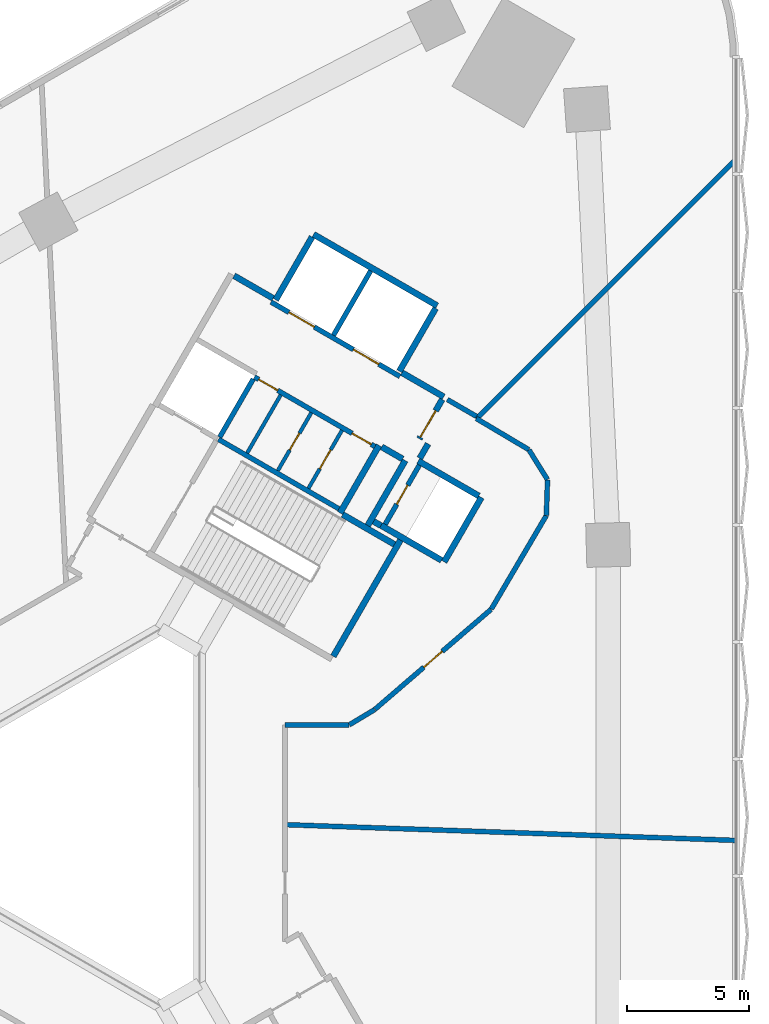
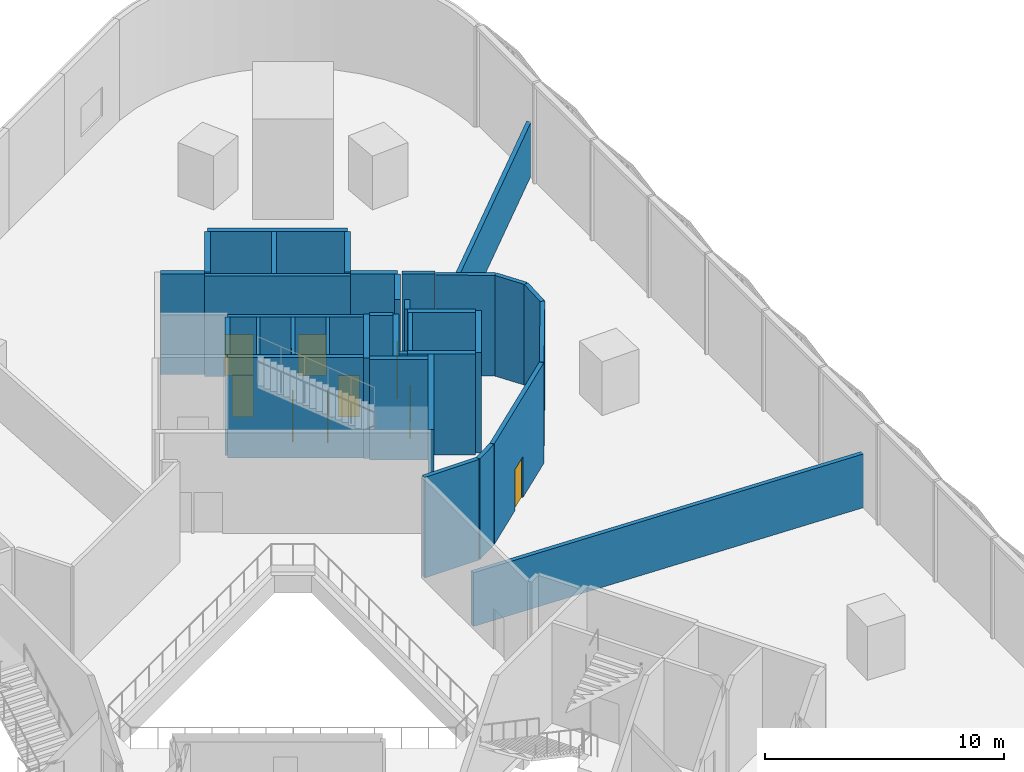
# One storey, part 17 of 31: 35 walls, 9 doors, 9 openings.
"""IFC4 building model written with IfcOpenShell, lengths in metres."""

from ifc_helpers import new_model, si_unit, direction, frame, frame_2d, origin, place, context, subcontext, project, spatial, rectangle, extrude, material, layer, layer_set, type_object, element, fill, save


model = new_model("IFC4")

# Units and contexts
model_context = context("Model", 3, precision=1e-05, world=origin(), true_north=direction((0.0, 1.0)))
body_context = subcontext(model_context, "Body", "Model", "MODEL_VIEW")
ifc_project = project(units=[si_unit("LENGTHUNIT", "METRE"), si_unit("AREAUNIT", "SQUARE_METRE"), si_unit("VOLUMEUNIT", "CUBIC_METRE"), si_unit("PLANEANGLEUNIT", "RADIAN"), si_unit("MASSUNIT", "GRAM", prefix="KILO")], contexts=[model_context])

# Site, building, storey
site_placement = place(None, origin())
site = spatial("IfcSite", under=ifc_project, at=site_placement, CompositionType="ELEMENT")
building_placement = place(site_placement, origin())
building = spatial("IfcBuilding", under=site, at=building_placement, Name="Tamra Quay Hotel Tower", CompositionType="ELEMENT")
storey_placement = place(building_placement, frame((0.0, 0.0, 14.0)))
storey = spatial("IfcBuildingStorey", under=building, at=storey_placement, Name="L02", CompositionType="ELEMENT", Elevation=14.0)

# Wall, openings, doors
ifc_material_1 = material(Name="Concrete M70", Category="concrete")
ifc_layer_1 = layer(ifc_material_1, 0.199951171875)
ifc_layer_set_1 = layer_set([ifc_layer_1], Name="Concrete M70 core wall 200")
wall_type_1 = type_object("IfcWallType", Name="Concrete M70 core wall 200", PredefinedType="SHEAR", material=ifc_layer_set_1)
wall_1_placement = place(storey_placement, frame((13.209716796875, 18.07958984375, 0.0), z_axis=(0.0, 0.0, 1.0), x_axis=(-0.866030299012, 0.499991521122, 0.0)))
wall_1 = element("IfcWall", 1, at=wall_1_placement, inside=storey, type_object=wall_type_1, Name="CW2", PredefinedType="SHEAR", context=body_context, shape_type="SweptSolid", body=[
    extrude(rectangle(XDim=6.10009765625, YDim=0.199951171875, at=frame_2d((3.050048828125, 0.0))), origin(), (0.0, 0.0, 1.0), 5.14990234375),
])
opening_1_placement = place(wall_1_placement, frame((1.0, 0.0, 0.0)))
opening_1 = element("IfcOpeningElement", 2, at=opening_1_placement, cuts=wall_1, Name="Opening LD", PredefinedType="OPENING", context=body_context, shape_type="SweptSolid", body=[
    extrude(rectangle(XDim=1.199951171875, YDim=2.10009765625, at=frame_2d((0.60009765625, 1.050048828125))), frame((0.0, 0.10986328125, 0.0), z_axis=(0.0, -1.0, 0.0), x_axis=(1.0, 0.0, 0.0)), (0.0, 0.0, 1.0), 0.219970703125),
])
opening_2_placement = place(wall_1_placement, frame((4.05029296875, 0.0, 0.0)))
opening_2 = element("IfcOpeningElement", 3, at=opening_2_placement, cuts=wall_1, Name="Opening LD", PredefinedType="OPENING", context=body_context, shape_type="SweptSolid", body=[
    extrude(rectangle(XDim=1.199951171875, YDim=2.10009765625, at=frame_2d((0.60009765625, 1.050048828125))), frame((0.0, 0.10986328125, 0.0), z_axis=(0.0, -1.0, 0.0), x_axis=(1.0, 0.0, 0.0)), (0.0, 0.0, 1.0), 0.219970703125),
])
ifc_material_2 = material(Name="Landing door LD 1200 double door sliding")
door_type_1 = type_object("IfcDoorType", Name="Landing door LD 1200 double door sliding", OperationType="DOUBLE_DOOR_SLIDING", PredefinedType="DOOR", material=ifc_material_2)
door_1_placement = place(opening_1_placement, origin())
door_1 = element("IfcDoor", 4, at=door_1_placement, inside=storey, type_object=door_type_1, Name="LD", OperationType="DOUBLE_DOOR_SLIDING", OverallHeight=2.10009765625, OverallWidth=1.199951171875, PredefinedType="DOOR", context=body_context, shape_type="SweptSolid", body=[
    extrude(rectangle(XDim=1.199951171875, YDim=2.10009765625, at=frame_2d((0.60009765625, 1.050048828125))), frame((0.0, 0.02490234375, 0.0), z_axis=(0.0, -1.0, 0.0), x_axis=(1.0, 0.0, 0.0)), (0.0, 0.0, 1.0), 0.050048828125),
])
fill(opening_1, door_1)
door_2_placement = place(opening_2_placement, origin())
door_2 = element("IfcDoor", 5, at=door_2_placement, inside=storey, type_object=door_type_1, Name="LD", OperationType="DOUBLE_DOOR_SLIDING", OverallHeight=2.10009765625, OverallWidth=1.199951171875, PredefinedType="DOOR", context=body_context, shape_type="SweptSolid", body=[
    extrude(rectangle(XDim=1.199951171875, YDim=2.10009765625, at=frame_2d((0.60009765625, 1.050048828125))), frame((0.0, 0.02490234375, 0.0), z_axis=(0.0, -1.0, 0.0), x_axis=(1.0, 0.0, 0.0)), (0.0, 0.0, 1.0), 0.050048828125),
])
fill(opening_2, door_2)

# Wall
wall_2_placement = place(storey_placement, frame((5.774658203125, 15.501953125, 0.0), z_axis=(0.0, 0.0, 1.0), x_axis=(0.866020080793, -0.500009219579, 0.0)))
element("IfcWall", 6, at=wall_2_placement, inside=storey, type_object=wall_type_1, Name="CW2", PredefinedType="SHEAR", context=body_context, shape_type="SweptSolid", body=[
    extrude(rectangle(XDim=5.69921875, YDim=0.199951171875, at=frame_2d((2.849609375, 0.0))), origin(), (0.0, 0.0, 1.0), 5.14990234375),
])

# Wall, openings, doors
wall_3_placement = place(storey_placement, frame((12.18505859375, 15.20703125, 0.0), z_axis=(0.0, 0.0, 1.0), x_axis=(-0.866020080793, 0.500009219579, 0.0)))
wall_3 = element("IfcWall", 7, at=wall_3_placement, inside=storey, type_object=wall_type_1, Name="CW2", PredefinedType="SHEAR", context=body_context, shape_type="SweptSolid", body=[
    extrude(rectangle(XDim=5.69921875, YDim=0.199951171875, at=frame_2d((2.849609375, 0.0))), origin(), (0.0, 0.0, 1.0), 5.14990234375),
])
opening_3_placement = place(wall_3_placement, frame((0.174072265625, 0.0, 0.0)))
opening_3 = element("IfcOpeningElement", 8, at=opening_3_placement, cuts=wall_3, Name="Opening D2", PredefinedType="OPENING", context=body_context, shape_type="SweptSolid", body=[
    extrude(rectangle(XDim=0.89990234375, YDim=2.10009765625, at=frame_2d((0.449951171875, 1.050048828125))), frame((0.0, 0.10986328125, 0.0), z_axis=(0.0, -1.0, 0.0), x_axis=(1.0, 0.0, 0.0)), (0.0, 0.0, 1.0), 0.219970703125),
])
opening_4_placement = place(wall_3_placement, frame((4.59912109375, 0.0, 0.0)))
opening_4 = element("IfcOpeningElement", 9, at=opening_4_placement, cuts=wall_3, Name="Opening D2", PredefinedType="OPENING", context=body_context, shape_type="SweptSolid", body=[
    extrude(rectangle(XDim=0.89990234375, YDim=2.10009765625, at=frame_2d((0.449951171875, 1.050048828125))), frame((0.0, 0.10986328125, 0.0), z_axis=(0.0, -1.0, 0.0), x_axis=(1.0, 0.0, 0.0)), (0.0, 0.0, 1.0), 0.219970703125),
])
ifc_material_3 = material(Name="Core door D2 900x2100 LH")
door_type_2 = type_object("IfcDoorType", Name="Core door D2 900x2100 LH", OperationType="NOTDEFINED", PredefinedType="DOOR", material=ifc_material_3)
door_3_placement = place(opening_4_placement, origin())
door_3 = element("IfcDoor", 10, at=door_3_placement, inside=storey, type_object=door_type_2, Name="D2", OperationType="SINGLE_SWING_LEFT", OverallHeight=2.10009765625, OverallWidth=0.89990234375, PredefinedType="DOOR", context=body_context, shape_type="SweptSolid", body=[
    extrude(rectangle(XDim=0.89990234375, YDim=2.10009765625, at=frame_2d((0.449951171875, 1.050048828125))), frame((0.0, 0.02490234375, 0.0), z_axis=(0.0, -1.0, 0.0), x_axis=(1.0, 0.0, 0.0)), (0.0, 0.0, 1.0), 0.050048828125),
])
fill(opening_4, door_3)
ifc_material_4 = material(Name="Core door D2 900x2100 RH")
door_type_3 = type_object("IfcDoorType", Name="Core door D2 900x2100 RH", OperationType="NOTDEFINED", PredefinedType="DOOR", material=ifc_material_4)
door_4_placement = place(opening_3_placement, origin())
door_4 = element("IfcDoor", 11, at=door_4_placement, inside=storey, type_object=door_type_3, Name="D2", OperationType="SINGLE_SWING_RIGHT", OverallHeight=2.10009765625, OverallWidth=0.89990234375, PredefinedType="DOOR", context=body_context, shape_type="SweptSolid", body=[
    extrude(rectangle(XDim=0.89990234375, YDim=2.10009765625, at=frame_2d((0.449951171875, 1.050048828125))), frame((0.0, 0.02490234375, 0.0), z_axis=(0.0, -1.0, 0.0), x_axis=(1.0, 0.0, 0.0)), (0.0, 0.0, 1.0), 0.050048828125),
])
fill(opening_3, door_4)

# Wall
wall_4_placement = place(storey_placement, frame((10.48876953125, 19.76708984375, 0.0), z_axis=(0.0, 0.0, 1.0), x_axis=(0.499946628782, 0.866056215479, 0.0)))
element("IfcWall", 12, at=wall_4_placement, inside=storey, type_object=wall_type_1, Name="CW2", PredefinedType="SHEAR", context=body_context, shape_type="SweptSolid", body=[
    extrude(rectangle(XDim=3.048095703125, YDim=0.199951171875, at=frame_2d((1.52392578125, 0.0))), origin(), (0.0, 0.0, 1.0), 5.14990234375),
])

# Wall, opening, door
wall_5_placement = place(storey_placement, frame((14.0078125, 14.442138671875, 0.0), z_axis=(0.0, 0.0, 1.0), x_axis=(-0.499986818241, -0.866033014143, 0.0)))
wall_5 = element("IfcWall", 13, at=wall_5_placement, inside=storey, type_object=wall_type_1, Name="CW2", PredefinedType="SHEAR", context=body_context, shape_type="SweptSolid", body=[
    extrude(rectangle(XDim=2.7978515625, YDim=0.199951171875, at=frame_2d((1.39892578125, 0.0))), origin(), (0.0, 0.0, 1.0), 5.14990234375),
])
opening_5_placement = place(wall_5_placement, frame((0.948974609375, 0.0, 0.0)))
opening_5 = element("IfcOpeningElement", 14, at=opening_5_placement, cuts=wall_5, Name="Opening D1", PredefinedType="OPENING", context=body_context, shape_type="SweptSolid", body=[
    extrude(rectangle(XDim=0.89990234375, YDim=2.10009765625, at=frame_2d((0.449951171875, 1.050048828125))), frame((0.0, 0.10986328125, 0.0), z_axis=(0.0, -1.0, 0.0), x_axis=(1.0, 0.0, 0.0)), (0.0, 0.0, 1.0), 0.219970703125),
])
ifc_material_5 = material(Name="Core door D1 900x2100 RH")
door_type_4 = type_object("IfcDoorType", Name="Core door D1 900x2100 RH", OperationType="NOTDEFINED", PredefinedType="DOOR", material=ifc_material_5)
door_5_placement = place(opening_5_placement, origin())
door_5 = element("IfcDoor", 15, at=door_5_placement, inside=storey, type_object=door_type_4, Name="D1", OperationType="SINGLE_SWING_RIGHT", OverallHeight=2.10009765625, OverallWidth=0.89990234375, PredefinedType="DOOR", context=body_context, shape_type="SweptSolid", body=[
    extrude(rectangle(XDim=0.89990234375, YDim=2.10009765625, at=frame_2d((0.449951171875, 1.050048828125))), frame((0.0, 0.02490234375, 0.0), z_axis=(0.0, -1.0, 0.0), x_axis=(1.0, 0.0, 0.0)), (0.0, 0.0, 1.0), 0.050048828125),
])
fill(opening_5, door_5)

# Walls
wall_6_placement = place(storey_placement, frame((7.199462890625, 17.969970703125, 0.0), z_axis=(0.0, 0.0, 1.0), x_axis=(-0.499968400327, -0.866043647095, 0.0)))
element("IfcWall", 16, at=wall_6_placement, inside=storey, type_object=wall_type_1, Name="CW2", PredefinedType="SHEAR", context=body_context, shape_type="SweptSolid", body=[
    extrude(rectangle(XDim=2.749755859375, YDim=0.199951171875, at=frame_2d((1.375, 0.0))), origin(), (0.0, 0.0, 1.0), 5.14990234375),
])
ifc_layer_2 = layer(ifc_material_1, 0.25)
ifc_layer_set_2 = layer_set([ifc_layer_2], Name="Concrete M70 core wall 250")
wall_type_2 = type_object("IfcWallType", Name="Concrete M70 core wall 250", PredefinedType="SHEAR", material=ifc_layer_set_2)
wall_7_placement = place(storey_placement, frame((9.672607421875, 23.9033203125, 0.0), z_axis=(0.0, 0.0, 1.0), x_axis=(0.86603616409, -0.499981362141, 0.0)))
element("IfcWall", 17, at=wall_7_placement, inside=storey, type_object=wall_type_2, Name="CW1", PredefinedType="SHEAR", context=body_context, shape_type="SweptSolid", body=[
    extrude(rectangle(XDim=5.849853515625, YDim=0.25, at=frame_2d((2.9248046875, 0.0))), origin(), (0.0, 0.0, 1.0), 5.14990234375),
])
wall_8_placement = place(storey_placement, frame((13.237548828125, 11.3779296875, 0.0), z_axis=(0.0, 0.0, 1.0), x_axis=(-0.500008851346, -0.866020293397, 0.0)))
element("IfcWall", 18, at=wall_8_placement, inside=storey, type_object=wall_type_2, Name="CW1", PredefinedType="SHEAR", context=body_context, shape_type="SweptSolid", body=[
    extrude(rectangle(XDim=5.509765625, YDim=0.25, at=frame_2d((2.7548828125, 0.0))), origin(), (0.0, 0.0, 1.0), 5.14990234375),
])
wall_9_placement = place(storey_placement, frame((12.356689453125, 15.25244140625, 0.0), z_axis=(0.0, 0.0, 1.0), x_axis=(-0.500028443584, -0.866008981251, 0.0)))
element("IfcWall", 19, at=wall_9_placement, inside=storey, type_object=wall_type_2, Name="CW1", PredefinedType="SHEAR", context=body_context, shape_type="SweptSolid", body=[
    extrude(rectangle(XDim=3.199951171875, YDim=0.25, at=frame_2d((1.60009765625, 0.0))), origin(), (0.0, 0.0, 1.0), 5.14990234375),
])
for number, where, z_axis, x_axis, name in (
    (20, (8.12255859375, 21.21875, 0.0), (0.0, 0.0, 1.0), (0.499987686533, 0.866032512851, 0.0), "CW1"),
    (21, (14.67626953125, 20.869873046875, 0.0), (0.0, 0.0, 1.0), (-0.499987686533, -0.866032512851, 0.0), "CW1"),
):
    element("IfcWall", number, at=place(storey_placement, frame(where, z_axis=z_axis, x_axis=x_axis)), inside=storey, type_object=wall_type_2, Name=name, PredefinedType="SHEAR", context=body_context, shape_type="SweptSolid", body=[
        extrude(rectangle(XDim=2.974609375, YDim=0.25, at=frame_2d((1.4873046875, 0.0))), origin(), (0.0, 0.0, 1.0), 5.14990234375),
    ])
wall_10_placement = place(storey_placement, frame((16.552001953125, 13.118896484375, 0.0), z_axis=(0.0, 0.0, 1.0), x_axis=(-0.499978833458, -0.866037623948, 0.0)))
element("IfcWall", 22, at=wall_10_placement, inside=storey, type_object=wall_type_2, Name="CW1", PredefinedType="SHEAR", context=body_context, shape_type="SweptSolid", body=[
    extrude(rectangle(XDim=3.050048828125, YDim=0.25, at=frame_2d((1.52490234375, 0.0))), origin(), (0.0, 0.0, 1.0), 5.14990234375),
])
wall_11_placement = place(storey_placement, frame((14.91845703125, 10.540283203125, 0.0), z_axis=(0.0, 0.0, 1.0), x_axis=(-0.866063538972, 0.499933942099, 0.0)))
element("IfcWall", 23, at=wall_11_placement, inside=storey, type_object=wall_type_2, Name="CW1", PredefinedType="SHEAR", context=body_context, shape_type="SweptSolid", body=[
    extrude(rectangle(XDim=2.86474609375, YDim=0.25, at=frame_2d((1.432373046875, 0.0))), origin(), (0.0, 0.0, 1.0), 5.14990234375),
])
wall_12_placement = place(storey_placement, frame((13.962646484375, 14.61376953125, 0.0), z_axis=(0.0, 0.0, 1.0), x_axis=(0.866042235819, -0.499970844928, 0.0)))
element("IfcWall", 24, at=wall_12_placement, inside=storey, type_object=wall_type_2, Name="CW1", PredefinedType="SHEAR", context=body_context, shape_type="SweptSolid", body=[
    extrude(rectangle(XDim=2.864501953125, YDim=0.25, at=frame_2d((1.43212890625, 0.0))), origin(), (0.0, 0.0, 1.0), 5.14990234375),
])
wall_13_placement = place(storey_placement, frame((11.887939453125, 11.960693359375, 0.0), z_axis=(0.0, 0.0, 1.0), x_axis=(0.500003324108, 0.866023484601, 0.0)))
element("IfcWall", 25, at=wall_13_placement, inside=storey, type_object=wall_type_2, Name="CW1", PredefinedType="SHEAR", context=body_context, shape_type="SweptSolid", body=[
    extrude(rectangle(XDim=3.0849609375, YDim=0.25, at=frame_2d((1.54248046875, 0.0))), origin(), (0.0, 0.0, 1.0), 5.14990234375),
])
wall_14_placement = place(storey_placement, frame((10.865234375, 12.41845703125, 0.0), z_axis=(0.0, 0.0, 1.0), x_axis=(0.866026229868, -0.499998569178, 0.0)))
element("IfcWall", 26, at=wall_14_placement, inside=storey, type_object=wall_type_2, Name="CW1", PredefinedType="SHEAR", context=body_context, shape_type="SweptSolid", body=[
    extrude(rectangle(XDim=2.44921875, YDim=0.25, at=frame_2d((1.224609375, 0.0))), origin(), (0.0, 0.0, 1.0), 5.14990234375),
])
wall_15_placement = place(storey_placement, frame((13.29736328125, 18.23095703125, 0.0), z_axis=(0.0, 0.0, 1.0), x_axis=(0.866043531843, -0.499968599967, 0.0)))
element("IfcWall", 27, at=wall_15_placement, inside=storey, type_object=wall_type_2, Name="CW1", PredefinedType="SHEAR", context=body_context, shape_type="SweptSolid", body=[
    extrude(rectangle(XDim=1.974853515625, YDim=0.25, at=frame_2d((0.9873046875, 0.0))), origin(), (0.0, 0.0, 1.0), 5.14990234375),
])
wall_16_placement = place(storey_placement, frame((6.41259765625, 22.2060546875, 0.0), z_axis=(0.0, 0.0, 1.0), x_axis=(0.866016279763, -0.500015802937, 0.0)))
element("IfcWall", 28, at=wall_16_placement, inside=storey, type_object=wall_type_2, Name="CW1", PredefinedType="SHEAR", context=body_context, shape_type="SweptSolid", body=[
    extrude(rectangle(XDim=1.84912109375, YDim=0.25, at=frame_2d((0.924560546875, 0.0))), origin(), (0.0, 0.0, 1.0), 5.14990234375),
])

# Wall, opening, door
wall_17_placement = place(storey_placement, frame((14.94482421875, 17.13525390625, 0.0), z_axis=(0.0, 0.0, 1.0), x_axis=(-0.499983108224, -0.866035156036, 0.0)))
wall_17 = element("IfcWall", 29, at=wall_17_placement, inside=storey, type_object=wall_type_2, Name="CW1", PredefinedType="SHEAR", context=body_context, shape_type="SweptSolid", body=[
    extrude(rectangle(XDim=1.86474609375, YDim=0.25, at=frame_2d((0.932373046875, 0.0))), origin(), (0.0, 0.0, 1.0), 5.14990234375),
])
opening_6_placement = place(wall_17_placement, frame((0.53466796875, 0.0, 0.0)))
opening_6 = element("IfcOpeningElement", 30, at=opening_6_placement, cuts=wall_17, Name="Opening FD3", PredefinedType="OPENING", context=body_context, shape_type="SweptSolid", body=[
    extrude(rectangle(XDim=1.25, YDim=2.10009765625, at=frame_2d((0.625, 1.050048828125))), frame((0.0, 0.135009765625, 0.0), z_axis=(0.0, -1.0, 0.0), x_axis=(1.0, 0.0, 0.0)), (0.0, 0.0, 1.0), 0.27001953125),
])
ifc_material_6 = material(Name="Core door FD3 1250x2100 LH")
door_type_5 = type_object("IfcDoorType", Name="Core door FD3 1250x2100 LH", OperationType="NOTDEFINED", PredefinedType="DOOR", material=ifc_material_6)
door_6_placement = place(opening_6_placement, origin())
door_6 = element("IfcDoor", 31, at=door_6_placement, inside=storey, type_object=door_type_5, Name="FD3", OperationType="SINGLE_SWING_LEFT", OverallHeight=2.10009765625, OverallWidth=1.25, PredefinedType="DOOR", context=body_context, shape_type="SweptSolid", body=[
    extrude(rectangle(XDim=1.25, YDim=2.10009765625, at=frame_2d((0.625, 1.050048828125))), frame((0.0, 0.02490234375, 0.0), z_axis=(0.0, -1.0, 0.0), x_axis=(1.0, 0.0, 0.0)), (0.0, 0.0, 1.0), 0.050048828125),
])
fill(opening_6, door_6)

# Walls
wall_18_placement = place(storey_placement, frame((13.322021484375, 14.695068359375, 0.0), z_axis=(0.0, 0.0, 1.0), x_axis=(-0.866017078145, 0.500014420154, 0.0)))
element("IfcWall", 32, at=wall_18_placement, inside=storey, type_object=wall_type_2, Name="CW1", PredefinedType="SHEAR", context=body_context, shape_type="SweptSolid", body=[
    extrude(rectangle(XDim=0.9892578125, YDim=0.25, at=frame_2d((0.49462890625, 0.0))), origin(), (0.0, 0.0, 1.0), 5.14990234375),
])
wall_19_placement = place(storey_placement, frame((14.36767578125, 15.3154296875, 0.0), z_axis=(0.0, 0.0, 1.0), x_axis=(-0.499897359611, -0.866084655132, 0.0)))
element("IfcWall", 33, at=wall_19_placement, inside=storey, type_object=wall_type_2, Name="CW1", PredefinedType="SHEAR", context=body_context, shape_type="SweptSolid", body=[
    extrude(rectangle(XDim=0.684814453125, YDim=0.25, at=frame_2d((0.34228515625, 0.0))), origin(), (0.0, 0.0, 1.0), 5.14990234375),
])
wall_20_placement = place(storey_placement, frame((12.4326171875, 11.9638671875, 0.0), z_axis=(0.0, 0.0, 1.0), x_axis=(-0.866055875208, 0.499947218231, 0.0)))
element("IfcWall", 34, at=wall_20_placement, inside=storey, type_object=wall_type_2, Name="CW1", PredefinedType="SHEAR", context=body_context, shape_type="SweptSolid", body=[
    extrude(rectangle(XDim=0.3447265625, YDim=0.25, at=frame_2d((0.17236328125, 0.0))), origin(), (0.0, 0.0, 1.0), 5.14990234375),
])

# Wall, opening, door
ifc_material_7 = material(Name="Blockwork", Category="masonry")
ifc_layer_3 = layer(ifc_material_7, 0.14990234375)
ifc_layer_set_3 = layer_set([ifc_layer_3], Name="Core partition block 150")
wall_type_3 = type_object("IfcWallType", Name="Core partition block 150", PredefinedType="PARTITIONING", material=ifc_layer_set_3)
wall_21_placement = place(storey_placement, frame((9.462158203125, 13.4892578125, 0.0), z_axis=(0.0, 0.0, 1.0), x_axis=(0.50002746344, 0.86600954718, 0.0)))
wall_21 = element("IfcWall", 35, at=wall_21_placement, inside=storey, type_object=wall_type_3, Name="CP1", PredefinedType="PARTITIONING", context=body_context, shape_type="SweptSolid", body=[
    extrude(rectangle(XDim=2.748291015625, YDim=0.14990234375, at=frame_2d((1.3740234375, 0.0))), origin(), (0.0, 0.0, 1.0), 5.14990234375),
])
opening_7_placement = place(wall_21_placement, frame((0.92431640625, 0.0, 0.0)))
opening_7 = element("IfcOpeningElement", 36, at=opening_7_placement, cuts=wall_21, Name="Opening D2", PredefinedType="OPENING", context=body_context, shape_type="SweptSolid", body=[
    extrude(rectangle(XDim=0.89990234375, YDim=2.10009765625, at=frame_2d((0.449951171875, 1.050048828125))), frame((0.0, 0.0849609375, 0.0), z_axis=(0.0, -1.0, 0.0), x_axis=(1.0, 0.0, 0.0)), (0.0, 0.0, 1.0), 0.169921875),
])
door_7_placement = place(opening_7_placement, origin())
door_7 = element("IfcDoor", 37, at=door_7_placement, inside=storey, type_object=door_type_2, Name="D2", OperationType="SINGLE_SWING_LEFT", OverallHeight=2.10009765625, OverallWidth=0.89990234375, PredefinedType="DOOR", context=body_context, shape_type="SweptSolid", body=[
    extrude(rectangle(XDim=0.89990234375, YDim=2.10009765625, at=frame_2d((0.449951171875, 1.050048828125))), frame((0.0, 0.02490234375, 0.0), z_axis=(0.0, -1.0, 0.0), x_axis=(1.0, 0.0, 0.0)), (0.0, 0.0, 1.0), 0.050048828125),
])
fill(opening_7, door_7)

wall_22_placement = place(storey_placement, frame((8.20654296875, 14.214111328125, 0.0), z_axis=(0.0, 0.0, 1.0), x_axis=(0.499922376475, 0.866070215109, 0.0)))
wall_22 = element("IfcWall", 38, at=wall_22_placement, inside=storey, type_object=wall_type_3, Name="CP1", PredefinedType="PARTITIONING", context=body_context, shape_type="SweptSolid", body=[
    extrude(rectangle(XDim=2.74853515625, YDim=0.14990234375, at=frame_2d((1.374267578125, 0.0))), origin(), (0.0, 0.0, 1.0), 5.14990234375),
])
opening_8_placement = place(wall_22_placement, frame((0.97412109375, 0.0, 0.0)))
opening_8 = element("IfcOpeningElement", 39, at=opening_8_placement, cuts=wall_22, Name="Opening D3", PredefinedType="OPENING", context=body_context, shape_type="SweptSolid", body=[
    extrude(rectangle(XDim=0.800048828125, YDim=2.10009765625, at=frame_2d((0.39990234375, 1.050048828125))), frame((0.0, 0.0849609375, 0.0), z_axis=(0.0, -1.0, 0.0), x_axis=(1.0, 0.0, 0.0)), (0.0, 0.0, 1.0), 0.169921875),
])
ifc_material_8 = material(Name="Core door D3 800x2100 RH")
door_type_6 = type_object("IfcDoorType", Name="Core door D3 800x2100 RH", OperationType="NOTDEFINED", PredefinedType="DOOR", material=ifc_material_8)
door_8_placement = place(opening_8_placement, origin())
door_8 = element("IfcDoor", 40, at=door_8_placement, inside=storey, type_object=door_type_6, Name="D3", OperationType="SINGLE_SWING_RIGHT", OverallHeight=2.10009765625, OverallWidth=0.800048828125, PredefinedType="DOOR", context=body_context, shape_type="SweptSolid", body=[
    extrude(rectangle(XDim=0.800048828125, YDim=2.10009765625, at=frame_2d((0.39990234375, 1.050048828125))), frame((0.0, 0.02490234375, 0.0), z_axis=(0.0, -1.0, 0.0), x_axis=(1.0, 0.0, 0.0)), (0.0, 0.0, 1.0), 0.050048828125),
])
fill(opening_8, door_8)

# Walls
wall_23_placement = place(storey_placement, frame((6.95068359375, 14.939208984375, 0.0), z_axis=(0.0, 0.0, 1.0), x_axis=(0.50002746344, 0.86600954718, 0.0)))
element("IfcWall", 41, at=wall_23_placement, inside=storey, type_object=wall_type_3, Name="CP1", PredefinedType="PARTITIONING", context=body_context, shape_type="SweptSolid", body=[
    extrude(rectangle(XDim=2.748291015625, YDim=0.14990234375, at=frame_2d((1.3740234375, 0.0))), origin(), (0.0, 0.0, 1.0), 5.14990234375),
])
ifc_material_9 = material(Name="Partition corridor wall")
ifc_layer_4 = layer(ifc_material_9, 0.199951171875)
ifc_layer_set_4 = layer_set([ifc_layer_4], Name="Partition corridor wall")
wall_type_4 = type_object("IfcWallType", Name="Partition corridor wall", PredefinedType="PARTITIONING", material=ifc_layer_set_4)
wall_24_placement = place(storey_placement, frame((8.510009765625, 3.7939453125, 0.0), z_axis=(0.0, 0.0, 1.0), x_axis=(1.0, 0.0, 0.0)))
element("IfcWall", 42, at=wall_24_placement, inside=storey, type_object=wall_type_4, Name="W-C", PredefinedType="PARTITIONING", context=body_context, shape_type="SweptSolid", body=[
    extrude(rectangle(XDim=2.6220703125, YDim=0.199951171875, at=frame_2d((1.31103515625, 0.0))), origin(), (0.0, 0.0, 1.0), 5.14990234375),
])
wall_25_placement = place(storey_placement, frame((11.137939453125, 3.799072265625, 0.0), z_axis=(0.0, 0.0, 1.0), x_axis=(0.857225224173, 0.514941661785, 0.0)))
element("IfcWall", 43, at=wall_25_placement, inside=storey, type_object=wall_type_4, Name="W-C", PredefinedType="PARTITIONING", context=body_context, shape_type="SweptSolid", body=[
    extrude(rectangle(XDim=1.20751953125, YDim=0.199951171875, at=frame_2d((0.603759765625, 0.0))), origin(), (0.0, 0.0, 1.0), 5.14990234375),
])

# Wall, opening, door
wall_26_placement = place(storey_placement, frame((12.18701171875, 4.43310546875, 0.0), z_axis=(0.0, 0.0, 1.0), x_axis=(0.757945584444, 0.652317783769, 0.0)))
wall_26 = element("IfcWall", 44, at=wall_26_placement, inside=storey, type_object=wall_type_4, Name="W-C", PredefinedType="PARTITIONING", context=body_context, shape_type="SweptSolid", body=[
    extrude(rectangle(XDim=6.277587890625, YDim=0.199951171875, at=frame_2d((3.138671875, 0.0))), origin(), (0.0, 0.0, 1.0), 5.14990234375),
])
opening_9_placement = place(wall_26_placement, frame((2.638916015625, 0.0, 0.0)))
opening_9 = element("IfcOpeningElement", 45, at=opening_9_placement, cuts=wall_26, Name="Opening L02-D014", PredefinedType="OPENING", context=body_context, shape_type="SweptSolid", body=[
    extrude(rectangle(XDim=1.0, YDim=2.10009765625, at=frame_2d((0.5, 1.050048828125))), frame((0.0, 0.10986328125, 0.0), z_axis=(0.0, -1.0, 0.0), x_axis=(1.0, 0.0, 0.0)), (0.0, 0.0, 1.0), 0.219970703125),
])
ifc_material_10 = material(Name="Door guest room 1000x2100")
door_type_7 = type_object("IfcDoorType", Name="Door guest room 1000x2100", OperationType="NOTDEFINED", PredefinedType="DOOR", material=ifc_material_10)
door_9_placement = place(opening_9_placement, frame((1.0, 0.0, 0.0), z_axis=(0.0, 0.0, 1.0), x_axis=(-1.0, 0.0, 0.0)))
door_9 = element("IfcDoor", 46, at=door_9_placement, inside=storey, type_object=door_type_7, Name="L02-D014", OperationType="SINGLE_SWING_LEFT", OverallHeight=2.10009765625, OverallWidth=1.0, PredefinedType="DOOR", context=body_context, shape_type="SweptSolid", body=[
    extrude(rectangle(XDim=1.0, YDim=2.10009765625, at=frame_2d((0.5, 1.050048828125))), frame((0.0, 0.02490234375, 0.0), z_axis=(0.0, -1.0, 0.0), x_axis=(1.0, 0.0, 0.0)), (0.0, 0.0, 1.0), 0.050048828125),
])
fill(opening_9, door_9)

# Walls
wall_27_placement = place(storey_placement, frame((15.15625, 17.13134765625, 0.0), z_axis=(0.0, 0.0, 1.0), x_axis=(0.865567897455, -0.500791588284, 0.0)))
element("IfcWall", 47, at=wall_27_placement, inside=storey, type_object=wall_type_4, Name="W-C", PredefinedType="PARTITIONING", context=body_context, shape_type="SweptSolid", body=[
    extrude(rectangle(XDim=1.376708984375, YDim=0.199951171875, at=frame_2d((0.6884765625, 0.0))), origin(), (0.0, 0.0, 1.0), 5.14990234375),
])
wall_28_placement = place(storey_placement, frame((16.341064453125, 16.35595703125, 0.0), z_axis=(0.0, 0.0, 1.0), x_axis=(0.859680670174, -0.510831817067, 0.0)))
element("IfcWall", 48, at=wall_28_placement, inside=storey, type_object=wall_type_4, Name="W-C", PredefinedType="PARTITIONING", context=body_context, shape_type="SweptSolid", body=[
    extrude(rectangle(XDim=2.501953125, YDim=0.199951171875, at=frame_2d((1.2509765625, 0.0))), origin(), (0.0, 0.0, 1.0), 5.14990234375),
])
wall_29_placement = place(storey_placement, frame((16.95703125, 8.5419921875, 0.0), z_axis=(0.0, 0.0, 1.0), x_axis=(0.506952960322, 0.861973721189, 0.0)))
element("IfcWall", 49, at=wall_29_placement, inside=storey, type_object=wall_type_4, Name="W-C", PredefinedType="PARTITIONING", context=body_context, shape_type="SweptSolid", body=[
    extrude(rectangle(XDim=4.447998046875, YDim=0.199951171875, at=frame_2d((2.22412109375, 0.0))), origin(), (0.0, 0.0, 1.0), 5.14990234375),
])
wall_30_placement = place(storey_placement, frame((18.5009765625, 15.068115234375, 0.0), z_axis=(0.0, 0.0, 1.0), x_axis=(0.529124417946, -0.84854425361, 0.0)))
element("IfcWall", 50, at=wall_30_placement, inside=storey, type_object=wall_type_4, Name="W-C", PredefinedType="PARTITIONING", context=body_context, shape_type="SweptSolid", body=[
    extrude(rectangle(XDim=1.430908203125, YDim=0.199951171875, at=frame_2d((0.71533203125, 0.0))), origin(), (0.0, 0.0, 1.0), 5.14990234375),
])
wall_31_placement = place(storey_placement, frame((19.214111328125, 12.385009765625, 0.0), z_axis=(0.0, 0.0, 1.0), x_axis=(0.032802164331, 0.999461864213, 0.0)))
element("IfcWall", 51, at=wall_31_placement, inside=storey, type_object=wall_type_4, Name="W-C", PredefinedType="PARTITIONING", context=body_context, shape_type="SweptSolid", body=[
    extrude(rectangle(XDim=1.458740234375, YDim=0.199951171875, at=frame_2d((0.7294921875, 0.0))), origin(), (0.0, 0.0, 1.0), 5.14990234375),
])
ifc_material_11 = material(Name="Partition party wall")
ifc_layer_5 = layer(ifc_material_11, 0.199951171875)
ifc_layer_set_5 = layer_set([ifc_layer_5], Name="Partition party wall")
wall_type_5 = type_object("IfcWallType", Name="Partition party wall", PredefinedType="PARTITIONING", material=ifc_layer_set_5)
wall_32_placement = place(storey_placement, frame((8.501953125, -0.294921875, 0.0), z_axis=(0.0, 0.0, 1.0), x_axis=(0.999391369185, -0.034883967631, 0.0)))
element("IfcWall", 52, at=wall_32_placement, inside=storey, type_object=wall_type_5, Name="W-P", PredefinedType="PARTITIONING", context=body_context, shape_type="SweptSolid", body=[
    extrude(rectangle(XDim=18.50439453125, YDim=0.199951171875, at=frame_2d((9.252197265625, 0.0))), origin(), (0.0, 0.0, 1.0), 2.75),
])
wall_33_placement = place(storey_placement, frame((16.35205078125, 16.35205078125, 0.0), z_axis=(0.0, 0.0, 1.0), x_axis=(0.707106781187, 0.707106781187, 0.0)))
element("IfcWall", 53, at=wall_33_placement, inside=storey, type_object=wall_type_5, Name="W-P", PredefinedType="PARTITIONING", context=body_context, shape_type="SweptSolid", body=[
    extrude(rectangle(XDim=15.0537109375, YDim=0.199951171875, at=frame_2d((7.52685546875, 0.0))), origin(), (0.0, 0.0, 1.0), 2.75),
])

save(model, "model.ifc")
